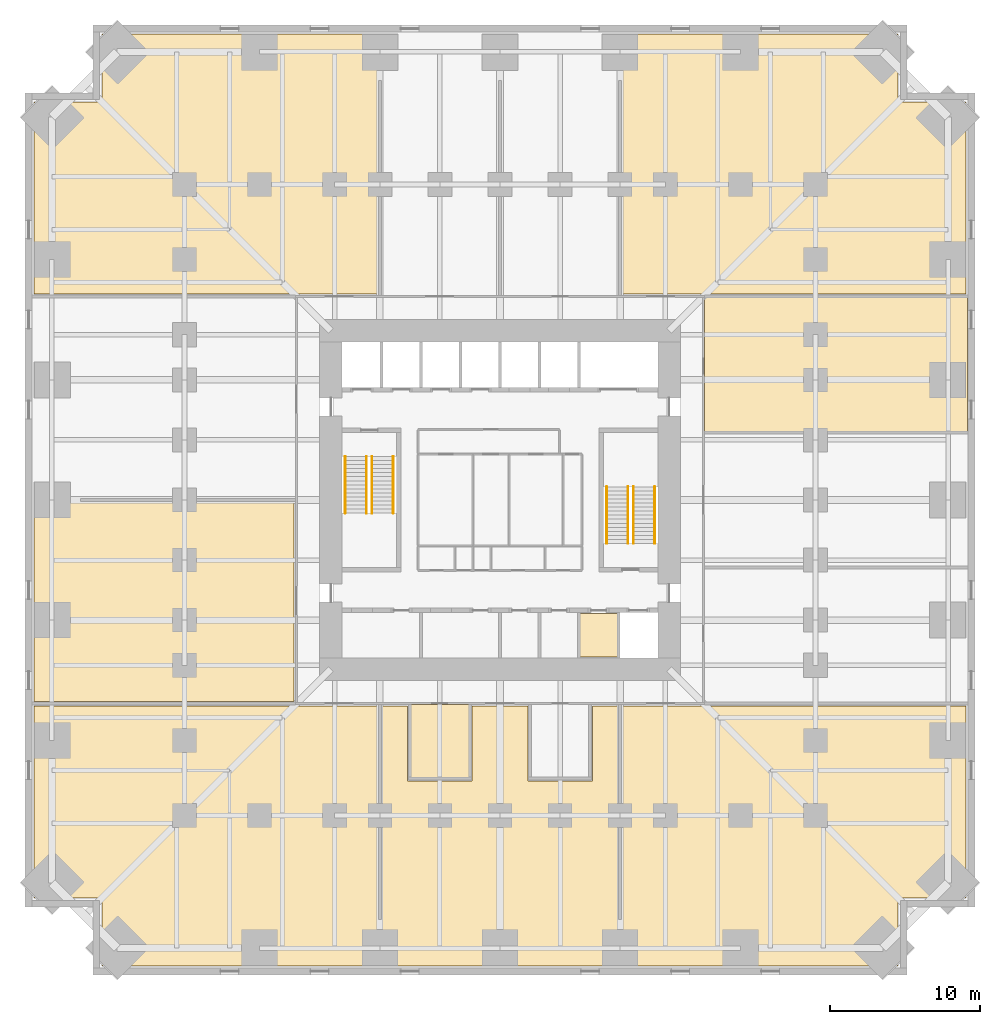
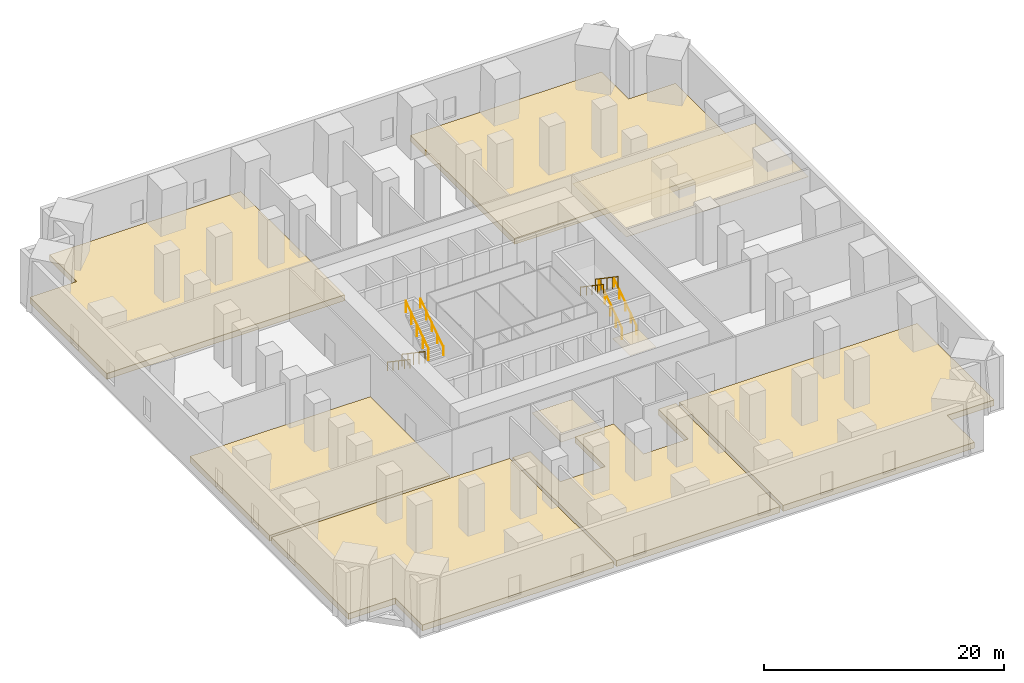
# One storey, part 8 of 8: 9 coverings, 8 railings.
"""IFC4 building model written with IfcOpenShell, lengths in metres."""

from ifc_helpers import new_model, si_unit, direction, frame, origin, origin_2d, place, context, subcontext, project, spatial, polyline, circle, outline, extrude, material, layer, layer_set, type_object, element, save


model = new_model("IFC4")

# Units and contexts
model_context = context("Model", 3, precision=1e-05, world=origin(), true_north=direction((0.0, 1.0)))
body_context = subcontext(model_context, "Body", "Model", "MODEL_VIEW")
ifc_project = project(units=[si_unit("LENGTHUNIT", "METRE"), si_unit("AREAUNIT", "SQUARE_METRE"), si_unit("VOLUMEUNIT", "CUBIC_METRE"), si_unit("PLANEANGLEUNIT", "RADIAN"), si_unit("MASSUNIT", "GRAM", prefix="KILO")], contexts=[model_context])

# Site, building, storey
site_placement = place(None, origin())
site = spatial("IfcSite", under=ifc_project, at=site_placement, CompositionType="ELEMENT")
building_placement = place(site_placement, origin())
building = spatial("IfcBuilding", under=site, at=building_placement, Name="Peilmerk Tower", CompositionType="ELEMENT")
storey_placement = place(building_placement, frame((0.0, 0.0, 26.5)))
storey = spatial("IfcBuildingStorey", under=building, at=storey_placement, Name="L05", CompositionType="ELEMENT", Elevation=26.5)

# Coverings
ifc_material_1 = material(Name="Mineral fibre ceiling tiles", Category="mineral")
ifc_layer_1 = layer(ifc_material_1, 0.02490234375)
ifc_layer_set_1 = layer_set([ifc_layer_1], Name="Mineral fibre ceiling tiles")
covering_type_1 = type_object("IfcCoveringType", Name="CL1 25 suspended ceiling", PredefinedType="CEILING", material=ifc_layer_set_1)
covering_1_placement = place(storey_placement, frame((0.0, 0.0, 4.375)))
element("IfcCovering", 1, at=covering_1_placement, inside=storey, type_object=covering_type_1, Name="Suspended ceiling Operations office", PredefinedType="CEILING", context=body_context, shape_type="SweptSolid", body=[
    extrude(outline(polyline([(-2.050048828125, -18.5), (-2.050048828125, -13.60009765625), (-5.949951171875, -13.60009765625), (-5.949951171875, -18.5), (-2.050048828125, -18.5)])), origin(), (0.0, 0.0, 1.0), 0.02490234375),
])
covering_2_placement = place(storey_placement, frame((0.0, 0.0, 4.375)))
element("IfcCovering", 2, at=covering_2_placement, inside=storey, type_object=covering_type_1, Name="Suspended ceiling LV switchboard room", PredefinedType="CEILING", context=body_context, shape_type="SweptSolid", body=[
    extrude(outline(polyline([(31.10009765625, 4.550048828125), (31.10009765625, 13.5), (13.60009765625, 13.5), (13.60009765625, 4.550048828125), (31.10009765625, 4.550048828125)])), origin(), (0.0, 0.0, 1.0), 0.02490234375),
])
covering_3_placement = place(storey_placement, frame((0.0, 0.0, 4.324951171875)))
element("IfcCovering", 3, at=covering_3_placement, inside=storey, type_object=covering_type_1, Name="Suspended ceiling Pantry", PredefinedType="CEILING", context=body_context, shape_type="SweptSolid", body=[
    extrude(outline(polyline([(7.823974609375, -10.448974609375), (7.823974609375, -7.551025390625), (5.301025390625, -7.551025390625), (5.301025390625, -10.448974609375), (7.823974609375, -10.448974609375)])), origin(), (0.0, 0.0, 1.0), 0.025146484375),
])

# Railings
ifc_material_2 = material(Name="Steel flat bar balustrade", Category="steel")
railing_type_1 = type_object("IfcRailingType", Name="GR1 1200 stair guard", PredefinedType="GUARDRAIL", material=ifc_material_2)
railing_1_placement = place(storey_placement, frame((-8.8798828125, 2.89990234375, 0.183349609375)))
element("IfcRailing", 4, at=railing_1_placement, inside=storey, type_object=railing_type_1, Name="Guard stair 1 L05", PredefinedType="GUARDRAIL", context=body_context, shape_type="SweptSolid", body=[
    extrude(circle(Radius=0.02392578125, at=origin_2d()), frame((0.0, 0.0, 1.17578125), z_axis=(0.0, -0.827293068839, 0.56177057439), x_axis=(1.0, 0.0, 0.0)), (0.0, 0.0, 1.0), 4.56884765625),
    extrude(circle(Radius=0.02099609375, at=origin_2d()), origin(), (0.0, 0.0, 1.0), 1.15185546875),
    extrude(circle(Radius=0.02099609375, at=origin_2d()), frame((0.0, -0.94482421875, 0.6416015625)), (0.0, 0.0, 1.0), 1.15185546875),
    extrude(circle(Radius=0.02099609375, at=origin_2d()), frame((0.0, -1.889892578125, 1.283203125)), (0.0, 0.0, 1.0), 1.15185546875),
    extrude(circle(Radius=0.02099609375, at=origin_2d()), frame((0.0, -2.8349609375, 1.925048828125)), (0.0, 0.0, 1.0), 1.15185546875),
    extrude(circle(Radius=0.02099609375, at=origin_2d()), frame((0.0, -3.77978515625, 2.566650390625)), (0.0, 0.0, 1.0), 1.15185546875),
])
for number, where, name in (
    (5, (-8.52001953125, -0.8798828125, 2.933349609375), "Guard stair 1 L05"),
    (6, (8.8798828125, -2.89990234375, 0.183349609375), "Guard stair 2 L05"),
):
    element("IfcRailing", number, at=place(storey_placement, frame(where)), inside=storey, type_object=railing_type_1, Name=name, PredefinedType="GUARDRAIL", context=body_context, shape_type="SweptSolid", body=[
        extrude(circle(Radius=0.02392578125, at=origin_2d()), frame((0.0, 0.0, 1.17578125), z_axis=(0.0, 0.827293068839, 0.56177057439), x_axis=(-1.0, 0.0, 0.0)), (0.0, 0.0, 1.0), 4.56884765625),
        extrude(circle(Radius=0.02099609375, at=origin_2d()), origin(), (0.0, 0.0, 1.0), 1.15185546875),
        extrude(circle(Radius=0.02099609375, at=origin_2d()), frame((0.0, 0.94482421875, 0.6416015625)), (0.0, 0.0, 1.0), 1.15185546875),
        extrude(circle(Radius=0.02099609375, at=origin_2d()), frame((0.0, 1.889892578125, 1.283203125)), (0.0, 0.0, 1.0), 1.15185546875),
        extrude(circle(Radius=0.02099609375, at=origin_2d()), frame((0.0, 2.8349609375, 1.925048828125)), (0.0, 0.0, 1.0), 1.15185546875),
        extrude(circle(Radius=0.02099609375, at=origin_2d()), frame((0.0, 3.77978515625, 2.566650390625)), (0.0, 0.0, 1.0), 1.15185546875),
    ])
railing_2_placement = place(storey_placement, frame((8.52001953125, 0.8798828125, 2.933349609375)))
element("IfcRailing", 7, at=railing_2_placement, inside=storey, type_object=railing_type_1, Name="Guard stair 2 L05", PredefinedType="GUARDRAIL", context=body_context, shape_type="SweptSolid", body=[
    extrude(circle(Radius=0.02392578125, at=origin_2d()), frame((0.0, 0.0, 1.17578125), z_axis=(0.0, -0.827293068839, 0.56177057439), x_axis=(1.0, 0.0, 0.0)), (0.0, 0.0, 1.0), 4.56884765625),
    extrude(circle(Radius=0.02099609375, at=origin_2d()), origin(), (0.0, 0.0, 1.0), 1.15185546875),
    extrude(circle(Radius=0.02099609375, at=origin_2d()), frame((0.0, -0.94482421875, 0.6416015625)), (0.0, 0.0, 1.0), 1.15185546875),
    extrude(circle(Radius=0.02099609375, at=origin_2d()), frame((0.0, -1.889892578125, 1.283203125)), (0.0, 0.0, 1.0), 1.15185546875),
    extrude(circle(Radius=0.02099609375, at=origin_2d()), frame((0.0, -2.8349609375, 1.925048828125)), (0.0, 0.0, 1.0), 1.15185546875),
    extrude(circle(Radius=0.02099609375, at=origin_2d()), frame((0.0, -3.77978515625, 2.566650390625)), (0.0, 0.0, 1.0), 1.15185546875),
])
ifc_material_3 = material(Name="Stainless steel tube", Category="steel")
railing_type_2 = type_object("IfcRailingType", Name="HR1 900 stair handrail", PredefinedType="HANDRAIL", material=ifc_material_3)
railing_3_placement = place(storey_placement, frame((-10.300048828125, 2.89990234375, 0.183349609375)))
element("IfcRailing", 8, at=railing_3_placement, inside=storey, type_object=railing_type_2, Name="Handrail stair 1 L05", PredefinedType="HANDRAIL", context=body_context, shape_type="SweptSolid", body=[
    extrude(circle(Radius=0.02392578125, at=origin_2d()), frame((0.0, 0.0, 0.8759765625), z_axis=(0.0, -0.827293068839, 0.56177057439), x_axis=(1.0, 0.0, 0.0)), (0.0, 0.0, 1.0), 4.56884765625),
    extrude(circle(Radius=0.02099609375, at=origin_2d()), origin(), (0.0, 0.0, 1.0), 0.851806640625),
    extrude(circle(Radius=0.02099609375, at=origin_2d()), frame((0.0, -0.94482421875, 0.6416015625)), (0.0, 0.0, 1.0), 0.851806640625),
    extrude(circle(Radius=0.02099609375, at=origin_2d()), frame((0.0, -1.889892578125, 1.283203125)), (0.0, 0.0, 1.0), 0.851806640625),
    extrude(circle(Radius=0.02099609375, at=origin_2d()), frame((0.0, -2.8349609375, 1.925048828125)), (0.0, 0.0, 1.0), 0.851806640625),
    extrude(circle(Radius=0.02099609375, at=origin_2d()), frame((0.0, -3.77978515625, 2.566650390625)), (0.0, 0.0, 1.0), 0.851806640625),
])
for number, where, name in (
    (9, (-7.10009765625, -0.8798828125, 2.933349609375), "Handrail stair 1 L05"),
    (10, (10.300048828125, -2.89990234375, 0.183349609375), "Handrail stair 2 L05"),
):
    element("IfcRailing", number, at=place(storey_placement, frame(where)), inside=storey, type_object=railing_type_2, Name=name, PredefinedType="HANDRAIL", context=body_context, shape_type="SweptSolid", body=[
        extrude(circle(Radius=0.02392578125, at=origin_2d()), frame((0.0, 0.0, 0.8759765625), z_axis=(0.0, 0.827293068839, 0.56177057439), x_axis=(-1.0, 0.0, 0.0)), (0.0, 0.0, 1.0), 4.56884765625),
        extrude(circle(Radius=0.02099609375, at=origin_2d()), origin(), (0.0, 0.0, 1.0), 0.851806640625),
        extrude(circle(Radius=0.02099609375, at=origin_2d()), frame((0.0, 0.94482421875, 0.6416015625)), (0.0, 0.0, 1.0), 0.851806640625),
        extrude(circle(Radius=0.02099609375, at=origin_2d()), frame((0.0, 1.889892578125, 1.283203125)), (0.0, 0.0, 1.0), 0.851806640625),
        extrude(circle(Radius=0.02099609375, at=origin_2d()), frame((0.0, 2.8349609375, 1.925048828125)), (0.0, 0.0, 1.0), 0.851806640625),
        extrude(circle(Radius=0.02099609375, at=origin_2d()), frame((0.0, 3.77978515625, 2.566650390625)), (0.0, 0.0, 1.0), 0.851806640625),
    ])
railing_4_placement = place(storey_placement, frame((7.10009765625, 0.8798828125, 2.933349609375)))
element("IfcRailing", 11, at=railing_4_placement, inside=storey, type_object=railing_type_2, Name="Handrail stair 2 L05", PredefinedType="HANDRAIL", context=body_context, shape_type="SweptSolid", body=[
    extrude(circle(Radius=0.02392578125, at=origin_2d()), frame((0.0, 0.0, 0.8759765625), z_axis=(0.0, -0.827293068839, 0.56177057439), x_axis=(1.0, 0.0, 0.0)), (0.0, 0.0, 1.0), 4.56884765625),
    extrude(circle(Radius=0.02099609375, at=origin_2d()), origin(), (0.0, 0.0, 1.0), 0.851806640625),
    extrude(circle(Radius=0.02099609375, at=origin_2d()), frame((0.0, -0.94482421875, 0.6416015625)), (0.0, 0.0, 1.0), 0.851806640625),
    extrude(circle(Radius=0.02099609375, at=origin_2d()), frame((0.0, -1.889892578125, 1.283203125)), (0.0, 0.0, 1.0), 0.851806640625),
    extrude(circle(Radius=0.02099609375, at=origin_2d()), frame((0.0, -2.8349609375, 1.925048828125)), (0.0, 0.0, 1.0), 0.851806640625),
    extrude(circle(Radius=0.02099609375, at=origin_2d()), frame((0.0, -3.77978515625, 2.566650390625)), (0.0, 0.0, 1.0), 0.851806640625),
])

# Coverings
ifc_material_4 = material(Name="Steel raised access floor panels on pedestals", Category="steel")
ifc_layer_2 = layer(ifc_material_4, 0.60009765625)
ifc_layer_set_2 = layer_set([ifc_layer_2], Name="Steel raised access floor panels on pedestals")
covering_type_2 = type_object("IfcCoveringType", Name="RF1 600 raised access floor", PredefinedType="FLOORING", material=ifc_layer_set_2)
covering_4_placement = place(storey_placement, origin())
element("IfcCovering", 12, at=covering_4_placement, inside=storey, type_object=covering_type_2, Name="Raised access floor Computer room A1", PredefinedType="FLOORING", context=body_context, shape_type="SweptSolid", body=[
    extrude(outline(polyline([(-31.0, 26.5), (-31.0, 13.699951171875), (-8.14990234375, 13.699951171875), (-8.14990234375, 31.0), (-26.5, 31.0), (-26.5, 26.5), (-31.0, 26.5)])), origin(), (0.0, 0.0, 1.0), 0.60009765625),
])
covering_5_placement = place(storey_placement, origin())
element("IfcCovering", 13, at=covering_5_placement, inside=storey, type_object=covering_type_2, Name="Raised access floor Computer room A2", PredefinedType="FLOORING", context=body_context, shape_type="SweptSolid", body=[
    extrude(outline(polyline([(26.5, 31.0), (8.14990234375, 31.0), (8.14990234375, 13.699951171875), (31.0, 13.699951171875), (31.0, 26.5), (26.5, 26.5), (26.5, 31.0)])), origin(), (0.0, 0.0, 1.0), 0.60009765625),
])
covering_6_placement = place(storey_placement, origin())
element("IfcCovering", 14, at=covering_6_placement, inside=storey, type_object=covering_type_2, Name="Raised access floor Computer room B1", PredefinedType="FLOORING", context=body_context, shape_type="SweptSolid", body=[
    extrude(outline(polyline([(-26.5, -31.0), (-8.14990234375, -31.0), (-8.14990234375, -13.699951171875), (-31.0, -13.699951171875), (-31.0, -26.5), (-26.5, -26.5), (-26.5, -31.0)])), origin(), (0.0, 0.0, 1.0), 0.60009765625),
])
covering_7_placement = place(storey_placement, origin())
element("IfcCovering", 15, at=covering_7_placement, inside=storey, type_object=covering_type_2, Name="Raised access floor Network room", PredefinedType="FLOORING", context=body_context, shape_type="SweptSolid", body=[
    extrude(outline(polyline([(-7.85009765625, -13.699951171875), (-7.85009765625, -31.0), (7.85009765625, -31.0), (7.85009765625, -13.699951171875), (6.14990234375, -13.699951171875), (6.14990234375, -18.699951171875), (1.85009765625, -18.699951171875), (1.85009765625, -13.699951171875), (-1.85009765625, -13.699951171875), (-1.85009765625, -18.699951171875), (-6.14990234375, -18.699951171875), (-6.14990234375, -13.699951171875), (-7.85009765625, -13.699951171875)])), origin(), (0.0, 0.0, 1.0), 0.60009765625),
])
covering_8_placement = place(storey_placement, origin())
element("IfcCovering", 16, at=covering_8_placement, inside=storey, type_object=covering_type_2, Name="Raised access floor Computer room B2", PredefinedType="FLOORING", context=body_context, shape_type="SweptSolid", body=[
    extrude(outline(polyline([(8.14990234375, -31.0), (26.5, -31.0), (26.5, -26.5), (31.0, -26.5), (31.0, -13.699951171875), (8.14990234375, -13.699951171875), (8.14990234375, -31.0)])), origin(), (0.0, 0.0, 1.0), 0.60009765625),
])
covering_9_placement = place(storey_placement, origin())
element("IfcCovering", 17, at=covering_9_placement, inside=storey, type_object=covering_type_2, Name="Raised access floor UPS room", PredefinedType="FLOORING", context=body_context, shape_type="SweptSolid", body=[
    extrude(outline(polyline([(-31.0, -0.14990234375), (-31.0, -13.39990234375), (-13.699951171875, -13.39990234375), (-13.699951171875, -0.14990234375), (-31.0, -0.14990234375)])), origin(), (0.0, 0.0, 1.0), 0.60009765625),
])

save(model, "model.ifc")
